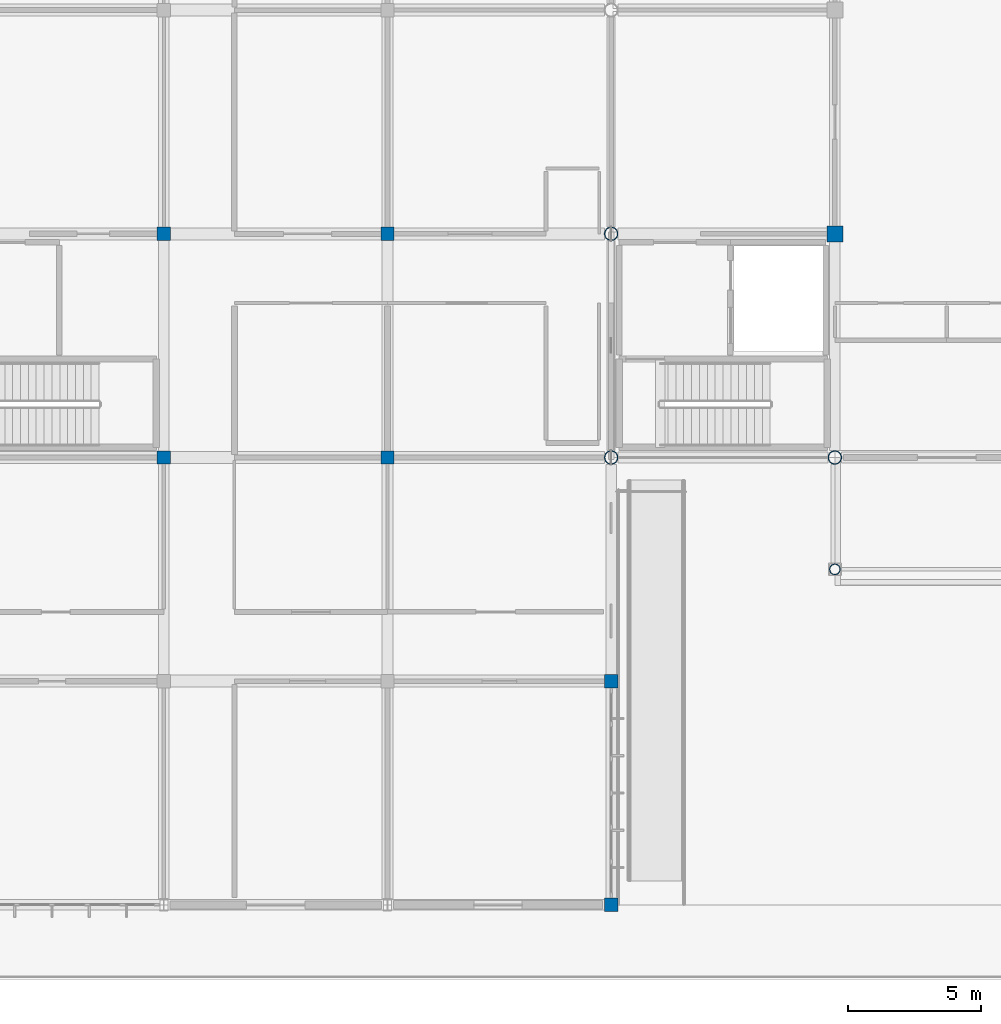
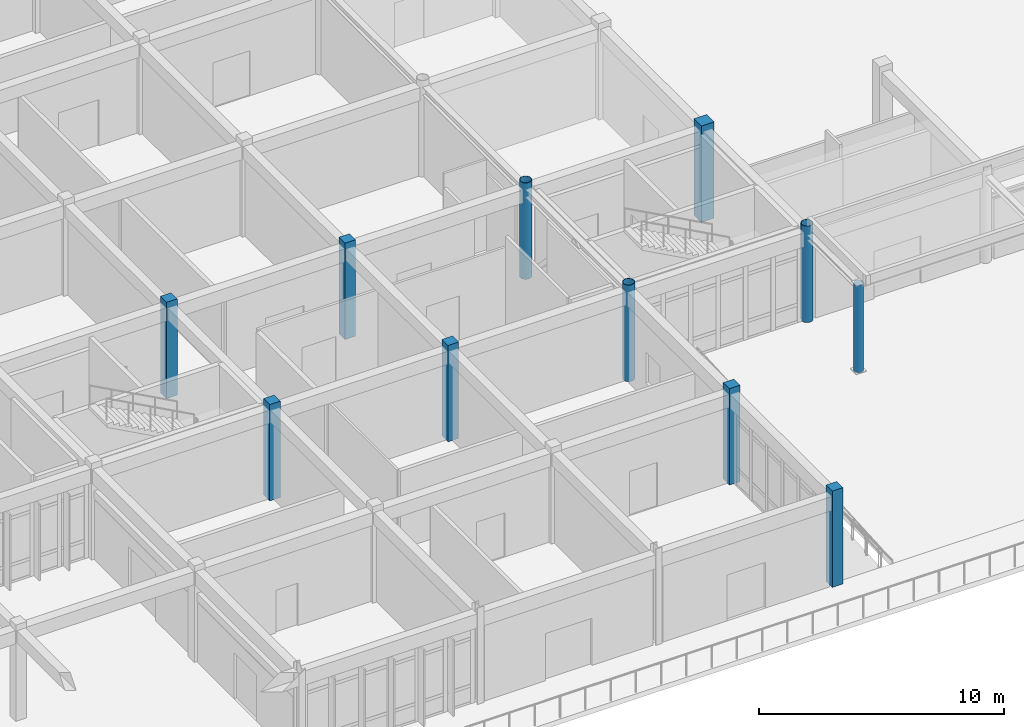
# One storey, part 2 of 138: 11 columns.
"""IFC4 building model written with IfcOpenShell, lengths in metres."""

from ifc_helpers import new_model, si_unit, direction, frame, origin, origin_2d, place, context, subcontext, project, spatial, rectangle, hollow_circle, extrude, material, material_profile, profile_set, type_object, element, save


model = new_model("IFC4")

# Units and contexts
model_context = context("Model", 3, precision=1e-05, world=origin(), true_north=direction((0.0, 1.0)))
body_context = subcontext(model_context, "Body", "Model", "MODEL_VIEW")
ifc_project = project(units=[si_unit("LENGTHUNIT", "METRE"), si_unit("AREAUNIT", "SQUARE_METRE"), si_unit("VOLUMEUNIT", "CUBIC_METRE"), si_unit("PLANEANGLEUNIT", "RADIAN"), si_unit("MASSUNIT", "GRAM", prefix="KILO")], contexts=[model_context])

# Site, building, storey
site_placement = place(None, origin())
site = spatial("IfcSite", under=ifc_project, at=site_placement, CompositionType="ELEMENT")
building_placement = place(site_placement, origin())
building = spatial("IfcBuilding", under=site, at=building_placement, Name="Bramfleet General Hospital", CompositionType="ELEMENT")
storey_placement = place(building_placement, origin())
storey = spatial("IfcBuildingStorey", under=building, at=storey_placement, Name="L00", CompositionType="ELEMENT", Elevation=0.0)

# Columns
ifc_material_1 = material(Name="Steel S355", Category="steel")
ifc_material_profile_1 = material_profile(ifc_material_1, hollow_circle(Radius=0.203125, WallThickness=0.01611328125, at=origin_2d()), Name="CHS 406.4x16.0")
ifc_profile_set_1 = profile_set([ifc_material_profile_1], Name="Steel S355")
column_type_1 = type_object("IfcColumnType", Name="COL-CHS406", PredefinedType="COLUMN", material=ifc_profile_set_1)
column_1_placement = place(storey_placement, frame((58.800048828125, 12.60009765625, 0.0), z_axis=(0.0, 0.0, 1.0), x_axis=(1.0, 0.0, 0.0)))
element("IfcColumn", 1, at=column_1_placement, inside=storey, type_object=column_type_1, Name="Entrance Canopy Column 1", PredefinedType="COLUMN", context=body_context, shape_type="SweptSolid", body=[
    extrude(hollow_circle(Radius=0.203125, WallThickness=0.01611328125, at=origin_2d()), origin(), (0.0, 0.0, 1.0), 4.35009765625),
])
ifc_material_profile_2 = material_profile(ifc_material_1, hollow_circle(Radius=0.25390625, WallThickness=0.02001953125, at=origin_2d()), Name="CHS 508.0x20.0")
ifc_profile_set_2 = profile_set([ifc_material_profile_2], Name="Steel S355")
column_type_2 = type_object("IfcColumnType", Name="COL-CHS508", PredefinedType="COLUMN", material=ifc_profile_set_2)
for number, where, z_axis, x_axis, name in (
    (2, (50.39990234375, 16.800048828125, 0.0), (0.0, 0.0, 1.0), (1.0, 0.0, 0.0), "Column COL-L00-06-02"),
    (3, (50.39990234375, 25.199951171875, 0.0), (0.0, 0.0, 1.0), (1.0, 0.0, 0.0), "Column COL-L00-06-03"),
    (4, (58.800048828125, 16.800048828125, 0.0), (0.0, 0.0, 1.0), (1.0, 0.0, 0.0), "Column COL-L00-07-02"),
):
    element("IfcColumn", number, at=place(storey_placement, frame(where, z_axis=z_axis, x_axis=x_axis)), inside=storey, type_object=column_type_2, Name=name, PredefinedType="COLUMN", context=body_context, shape_type="SweptSolid", body=[
        extrude(hollow_circle(Radius=0.25390625, WallThickness=0.02001953125, at=origin_2d()), origin(), (0.0, 0.0, 1.0), 4.800048828125),
    ])
ifc_material_2 = material(Name="Concrete C40/50", Category="concrete")
ifc_material_profile_3 = material_profile(ifc_material_2, rectangle(XDim=0.5, YDim=0.5, at=origin_2d()), Name="RC COL 500x500")
ifc_profile_set_3 = profile_set([ifc_material_profile_3], Name="Concrete C40/50")
column_type_3 = type_object("IfcColumnType", Name="COL-RC500", PredefinedType="COLUMN", material=ifc_profile_set_3)
for number, where, z_axis, x_axis, name in (
    (5, (33.60009765625, 16.800048828125, 0.0), (0.0, 0.0, 1.0), (1.0, 0.0, 0.0), "Column COL-L00-04-02"),
    (6, (33.60009765625, 25.199951171875, 0.0), (0.0, 0.0, 1.0), (1.0, 0.0, 0.0), "Column COL-L00-04-03"),
    (7, (42.0, 16.800048828125, 0.0), (0.0, 0.0, 1.0), (1.0, 0.0, 0.0), "Column COL-L00-05-02"),
    (8, (42.0, 25.199951171875, 0.0), (0.0, 0.0, 1.0), (1.0, 0.0, 0.0), "Column COL-L00-05-03"),
    (9, (50.39990234375, 0.0, 0.0), (0.0, 0.0, 1.0), (1.0, 0.0, 0.0), "Column COL-L00-06-00"),
    (10, (50.39990234375, 8.39990234375, 0.0), (0.0, 0.0, 1.0), (1.0, 0.0, 0.0), "Column COL-L00-06-01"),
):
    element("IfcColumn", number, at=place(storey_placement, frame(where, z_axis=z_axis, x_axis=x_axis)), inside=storey, type_object=column_type_3, Name=name, PredefinedType="COLUMN", context=body_context, shape_type="SweptSolid", body=[
        extrude(rectangle(XDim=0.5, YDim=0.5, at=origin_2d()), origin(), (0.0, 0.0, 1.0), 4.800048828125),
    ])
ifc_material_profile_4 = material_profile(ifc_material_2, rectangle(XDim=0.60009765625, YDim=0.60009765625, at=origin_2d()), Name="RC COL 600x600")
ifc_profile_set_4 = profile_set([ifc_material_profile_4], Name="Concrete C40/50")
column_type_4 = type_object("IfcColumnType", Name="COL-RC600", PredefinedType="COLUMN", material=ifc_profile_set_4)
column_2_placement = place(storey_placement, frame((58.800048828125, 25.199951171875, 0.0), z_axis=(0.0, 0.0, 1.0), x_axis=(1.0, 0.0, 0.0)))
element("IfcColumn", 11, at=column_2_placement, inside=storey, type_object=column_type_4, Name="Column COL-L00-07-03", PredefinedType="COLUMN", context=body_context, shape_type="SweptSolid", body=[
    extrude(rectangle(XDim=0.60009765625, YDim=0.60009765625, at=origin_2d()), origin(), (0.0, 0.0, 1.0), 4.800048828125),
])

save(model, "model.ifc")
